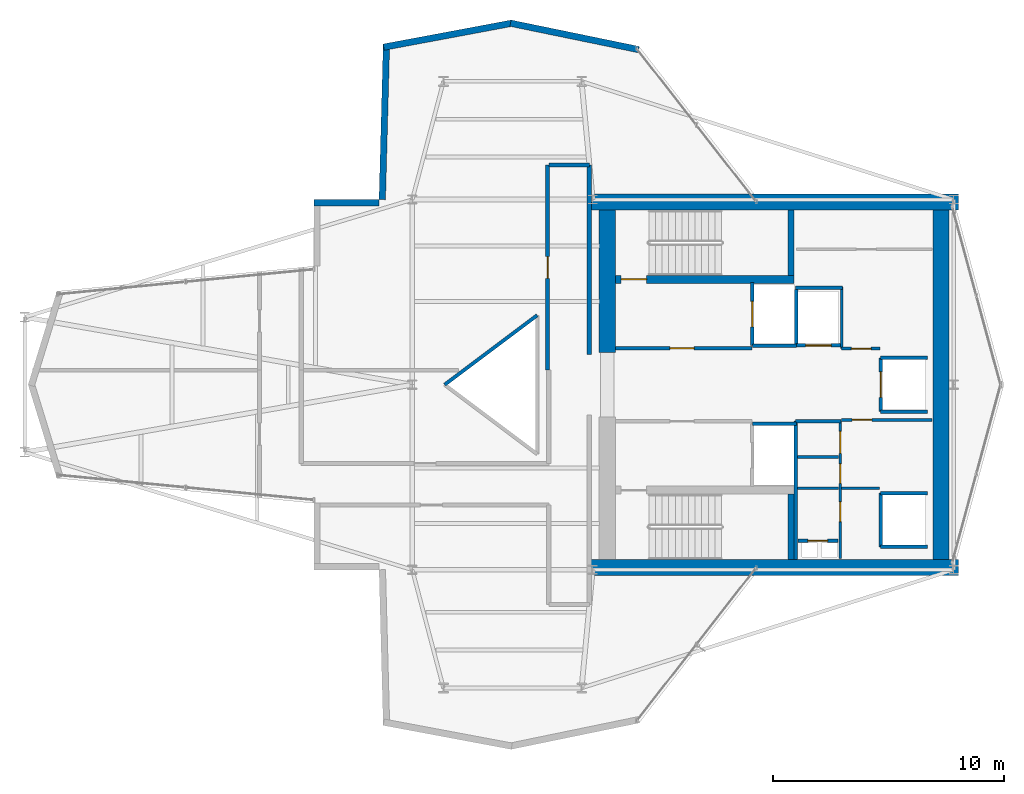
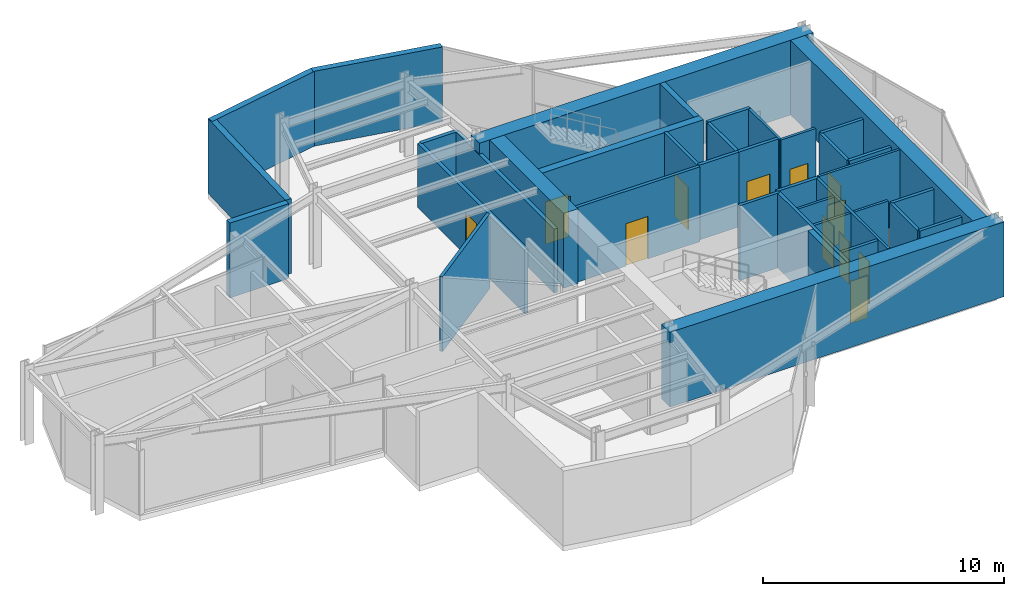
# One storey, part 19 of 21: 38 walls, 12 doors, 12 openings.
"""IFC4 building model written with IfcOpenShell, lengths in metres."""

from ifc_helpers import new_model, si_unit, direction, frame, frame_2d, origin, place, context, subcontext, project, spatial, rectangle, extrude, material, layer, layer_set, type_object, element, fill, save


model = new_model("IFC4")

# Units and contexts
model_context = context("Model", 3, precision=1e-05, world=origin(), true_north=direction((0.0, 1.0)))
body_context = subcontext(model_context, "Body", "Model", "MODEL_VIEW")
ifc_project = project(units=[si_unit("LENGTHUNIT", "METRE"), si_unit("AREAUNIT", "SQUARE_METRE"), si_unit("VOLUMEUNIT", "CUBIC_METRE"), si_unit("PLANEANGLEUNIT", "RADIAN"), si_unit("MASSUNIT", "GRAM", prefix="KILO")], contexts=[model_context])

# Site, building, storey
site_placement = place(None, origin())
site = spatial("IfcSite", under=ifc_project, at=site_placement, CompositionType="ELEMENT")
building_placement = place(site_placement, origin())
building = spatial("IfcBuilding", under=site, at=building_placement, Name="Veymaron Broadcast Tower", CompositionType="ELEMENT")
storey_placement = place(building_placement, frame((0.0, 0.0, 244.5)))
storey = spatial("IfcBuildingStorey", under=building, at=storey_placement, Name="L57", CompositionType="ELEMENT", Elevation=244.5)

# Walls
ifc_material_1 = material(Name="Precast concrete C40/50", Category="concrete")
ifc_layer_1 = layer(ifc_material_1, 0.280029296875)
ifc_layer_set_1 = layer_set([ifc_layer_1], Name="Precast concrete C40/50")
wall_type_1 = type_object("IfcWallType", Name="WALL-EXT-280", PredefinedType="STANDARD", material=ifc_layer_set_1)
wall_1_placement = place(storey_placement, frame((40.977783203125, 38.486083984375, 0.0), z_axis=(0.0, 0.0, 1.0), x_axis=(-0.979426896637, 0.201799291733, 0.0)))
element("IfcWall", 1, at=wall_1_placement, inside=storey, type_object=wall_type_1, Name="L57 notched corner facade pier 6-1", PredefinedType="STANDARD", context=body_context, shape_type="SweptSolid", body=[
    extrude(rectangle(XDim=5.6474609375, YDim=0.280029296875, at=frame_2d((2.82373046875, 0.0))), origin(), (0.0, 0.0, 1.0), 3.7900390625),
])
wall_2_placement = place(storey_placement, frame((35.50048828125, 39.625244140625, 0.0), z_axis=(0.0, 0.0, 1.0), x_axis=(-0.982902134609, -0.184128742409, 0.0)))
element("IfcWall", 2, at=wall_2_placement, inside=storey, type_object=wall_type_1, Name="L57 notched corner facade pier 7-1", PredefinedType="STANDARD", context=body_context, shape_type="SweptSolid", body=[
    extrude(rectangle(XDim=5.627197265625, YDim=0.280029296875, at=frame_2d((2.8134765625, 0.0))), origin(), (0.0, 0.0, 1.0), 3.7900390625),
])
wall_3_placement = place(storey_placement, frame((30.08349609375, 38.72314453125, 0.0), z_axis=(0.0, 0.0, 1.0), x_axis=(-0.026702629768, -0.999643421208, 0.0)))
element("IfcWall", 3, at=wall_3_placement, inside=storey, type_object=wall_type_1, Name="L57 notched corner facade pier 8-1", PredefinedType="STANDARD", context=body_context, shape_type="SweptSolid", body=[
    extrude(rectangle(XDim=6.729248046875, YDim=0.280029296875, at=frame_2d((3.36474609375, 0.0))), origin(), (0.0, 0.0, 1.0), 3.7900390625),
])
wall_4_placement = place(storey_placement, frame((29.763916015625, 31.860107421875, 0.0), z_axis=(0.0, 0.0, 1.0), x_axis=(-1.0, 0.0, 0.0)))
element("IfcWall", 4, at=wall_4_placement, inside=storey, type_object=wall_type_1, Name="L57 notched corner facade pier 9-1", PredefinedType="STANDARD", context=body_context, shape_type="SweptSolid", body=[
    extrude(rectangle(XDim=2.821533203125, YDim=0.280029296875, at=frame_2d((1.41064453125, 0.0))), origin(), (0.0, 0.0, 1.0), 3.7900390625),
])

# Wall, opening, door
ifc_material_2 = material(Name="Gypsum fireboard and steel stud framing", Category="steel")
ifc_layer_2 = layer(ifc_material_2, 0.14990234375)
ifc_layer_set_2 = layer_set([ifc_layer_2], Name="Gypsum fireboard and steel stud framing")
wall_type_2 = type_object("IfcWallType", Name="WALL-FIRE-150", PredefinedType="PARTITIONING", material=ifc_layer_set_2)
wall_5_placement = place(storey_placement, frame((39.97998046875, 25.574951171875, 0.0), z_axis=(0.0, 0.0, 1.0), x_axis=(1.0, 0.0, 0.0)))
wall_5 = element("IfcWall", 5, at=wall_5_placement, inside=storey, type_object=wall_type_2, Name="L57 partition IW-L57-FFLN-S", PredefinedType="PARTITIONING", context=body_context, shape_type="SweptSolid", body=[
    extrude(rectangle(XDim=5.89990234375, YDim=0.14990234375, at=frame_2d((2.949951171875, 0.0))), origin(), (0.0, 0.0, 1.0), 3.7900390625),
])
opening_1_placement = place(wall_5_placement, frame((2.35009765625, 0.0, 0.0)))
opening_1 = element("IfcOpeningElement", 6, at=opening_1_placement, cuts=wall_5, Name="Opening ID-FL1", PredefinedType="OPENING", context=body_context, shape_type="SweptSolid", body=[
    extrude(rectangle(XDim=1.050048828125, YDim=2.14990234375, at=frame_2d((0.52490234375, 1.074951171875))), frame((0.0, 0.0849609375, 0.0), z_axis=(0.0, -1.0, 0.0), x_axis=(1.0, 0.0, 0.0)), (0.0, 0.0, 1.0), 0.169921875),
])
ifc_material_3 = material(Name="Fire-rated painted hollow steel ASTM A653", Category="steel")
door_type_1 = type_object("IfcDoorType", Name="DOOR-FIRE-1050", OperationType="NOTDEFINED", PredefinedType="DOOR", material=ifc_material_3)
door_1_placement = place(opening_1_placement, origin())
door_1 = element("IfcDoor", 7, at=door_1_placement, inside=storey, type_object=door_type_1, Name="L57 door DR-L57-FFLN", OperationType="SINGLE_SWING_LEFT", OverallHeight=2.14990234375, OverallWidth=1.050048828125, PredefinedType="DOOR", context=body_context, shape_type="SweptSolid", body=[
    extrude(rectangle(XDim=1.050048828125, YDim=2.14990234375, at=frame_2d((0.52490234375, 1.074951171875))), frame((0.0, 0.02490234375, 0.0), z_axis=(0.0, -1.0, 0.0), x_axis=(1.0, 0.0, 0.0)), (0.0, 0.0, 1.0), 0.050048828125),
])
fill(opening_1, door_1)

wall_6_placement = place(storey_placement, frame((45.89501953125, 25.68994140625, 0.0), z_axis=(0.0, 0.0, 1.0), x_axis=(0.0, 1.0, 0.0)))
wall_6 = element("IfcWall", 8, at=wall_6_placement, inside=storey, type_object=wall_type_2, Name="L57 partition IW-L57-SHW-FFL-1", PredefinedType="PARTITIONING", context=body_context, shape_type="SweptSolid", body=[
    extrude(rectangle(XDim=2.719970703125, YDim=0.14990234375, at=frame_2d((1.35986328125, 0.0))), origin(), (0.0, 0.0, 1.0), 3.7900390625),
])
opening_2_placement = place(wall_6_placement, frame((0.81005859375, 0.0, 0.0)))
opening_2 = element("IfcOpeningElement", 9, at=opening_2_placement, cuts=wall_6, Name="Opening LD", PredefinedType="OPENING", context=body_context, shape_type="SweptSolid", body=[
    extrude(rectangle(XDim=1.10009765625, YDim=2.14990234375, at=frame_2d((0.550048828125, 1.074951171875))), frame((0.0, 0.0849609375, 0.0), z_axis=(0.0, -1.0, 0.0), x_axis=(1.0, 0.0, 0.0)), (0.0, 0.0, 1.0), 0.169921875),
])
ifc_material_4 = material(Name="Brushed stainless steel AISI 304", Category="steel")
door_type_2 = type_object("IfcDoorType", Name="DOOR-LIFT-1100", OperationType="DOUBLE_DOOR_SLIDING", PredefinedType="DOOR", material=ifc_material_4)
door_2_placement = place(opening_2_placement, frame((1.10009765625, 0.0, 0.0), z_axis=(0.0, 0.0, 1.0), x_axis=(-1.0, 0.0, 0.0)))
door_2 = element("IfcDoor", 10, at=door_2_placement, inside=storey, type_object=door_type_2, Name="L57 door LD-L57-FFL-1", OperationType="DOUBLE_DOOR_SLIDING", OverallHeight=2.14990234375, OverallWidth=1.10009765625, PredefinedType="DOOR", context=body_context, shape_type="SweptSolid", body=[
    extrude(rectangle(XDim=1.10009765625, YDim=2.14990234375, at=frame_2d((0.550048828125, 1.074951171875))), frame((0.0, 0.02490234375, 0.0), z_axis=(0.0, -1.0, 0.0), x_axis=(1.0, 0.0, 0.0)), (0.0, 0.0, 1.0), 0.050048828125),
])
fill(opening_2, door_2)

# Walls
for number, where, z_axis, x_axis, name in (
    (11, (45.89501953125, 25.68994140625, 0.0), (0.0, 0.0, 1.0), (1.0, 0.0, 0.0), "L57 partition IW-L57-SHS-FFL-1"),
    (12, (45.89501953125, 22.31005859375, 0.0), (0.0, 0.0, 1.0), (1.0, 0.0, 0.0), "L57 partition IW-L57-SHN-FFL-2"),
):
    element("IfcWall", number, at=place(storey_placement, frame(where, z_axis=z_axis, x_axis=x_axis)), inside=storey, type_object=wall_type_2, Name=name, PredefinedType="PARTITIONING", context=body_context, shape_type="SweptSolid", body=[
        extrude(rectangle(XDim=1.9150390625, YDim=0.14990234375, at=frame_2d((0.95751953125, 0.0))), origin(), (0.0, 0.0, 1.0), 3.7900390625),
    ])

# Wall, opening, door
wall_7_placement = place(storey_placement, frame((47.7900390625, 25.695068359375, 0.0), z_axis=(0.0, 0.0, 1.0), x_axis=(1.0, 0.0, 0.0)))
wall_7 = element("IfcWall", 13, at=wall_7_placement, inside=storey, type_object=wall_type_2, Name="L57 partition IW-L57-SHS-SL-1", PredefinedType="PARTITIONING", context=body_context, shape_type="SweptSolid", body=[
    extrude(rectangle(XDim=1.919921875, YDim=0.14990234375, at=frame_2d((0.9599609375, 0.0))), origin(), (0.0, 0.0, 1.0), 3.7900390625),
])
opening_3_placement = place(wall_7_placement, frame((0.409912109375, 0.0, 0.0)))
opening_3 = element("IfcOpeningElement", 14, at=opening_3_placement, cuts=wall_7, Name="Opening LD", PredefinedType="OPENING", context=body_context, shape_type="SweptSolid", body=[
    extrude(rectangle(XDim=1.10009765625, YDim=2.14990234375, at=frame_2d((0.550048828125, 1.074951171875))), frame((0.0, 0.0849609375, 0.0), z_axis=(0.0, -1.0, 0.0), x_axis=(1.0, 0.0, 0.0)), (0.0, 0.0, 1.0), 0.169921875),
])
door_3_placement = place(opening_3_placement, frame((1.10009765625, 0.0, 0.0), z_axis=(0.0, 0.0, 1.0), x_axis=(-1.0, 0.0, 0.0)))
door_3 = element("IfcDoor", 15, at=door_3_placement, inside=storey, type_object=door_type_2, Name="L57 door LD-L57-SL-1", OperationType="DOUBLE_DOOR_SLIDING", OverallHeight=2.14990234375, OverallWidth=1.10009765625, PredefinedType="DOOR", context=body_context, shape_type="SweptSolid", body=[
    extrude(rectangle(XDim=1.10009765625, YDim=2.14990234375, at=frame_2d((0.550048828125, 1.074951171875))), frame((0.0, 0.02490234375, 0.0), z_axis=(0.0, -1.0, 0.0), x_axis=(1.0, 0.0, 0.0)), (0.0, 0.0, 1.0), 0.050048828125),
])
fill(opening_3, door_3)

# Wall
wall_8_placement = place(storey_placement, frame((47.7900390625, 25.695068359375, 0.0), z_axis=(0.0, 0.0, 1.0), x_axis=(0.0, 1.0, 0.0)))
element("IfcWall", 16, at=wall_8_placement, inside=storey, type_object=wall_type_2, Name="L57 partition IW-L57-SHW-SL-1", PredefinedType="PARTITIONING", context=body_context, shape_type="SweptSolid", body=[
    extrude(rectangle(XDim=2.4150390625, YDim=0.14990234375, at=frame_2d((1.20751953125, 0.0))), origin(), (0.0, 0.0, 1.0), 3.7900390625),
])

# Wall, opening, door
wall_9_placement = place(storey_placement, frame((51.445068359375, 22.840087890625, 0.0), z_axis=(0.0, 0.0, 1.0), x_axis=(0.0, 1.0, 0.0)))
wall_9 = element("IfcWall", 17, at=wall_9_placement, inside=storey, type_object=wall_type_2, Name="L57 partition IW-L57-SHW-PM3", PredefinedType="PARTITIONING", context=body_context, shape_type="SweptSolid", body=[
    extrude(rectangle(XDim=2.31982421875, YDim=0.14990234375, at=frame_2d((1.159912109375, 0.0))), origin(), (0.0, 0.0, 1.0), 3.7900390625),
])
opening_4_placement = place(wall_9_placement, frame((0.610107421875, 0.0, 0.0)))
opening_4 = element("IfcOpeningElement", 18, at=opening_4_placement, cuts=wall_9, Name="Opening LD", PredefinedType="OPENING", context=body_context, shape_type="SweptSolid", body=[
    extrude(rectangle(XDim=1.10009765625, YDim=2.14990234375, at=frame_2d((0.550048828125, 1.074951171875))), frame((0.0, 0.0849609375, 0.0), z_axis=(0.0, -1.0, 0.0), x_axis=(1.0, 0.0, 0.0)), (0.0, 0.0, 1.0), 0.169921875),
])
door_4_placement = place(opening_4_placement, frame((1.10009765625, 0.0, 0.0), z_axis=(0.0, 0.0, 1.0), x_axis=(-1.0, 0.0, 0.0)))
door_4 = element("IfcDoor", 19, at=door_4_placement, inside=storey, type_object=door_type_2, Name="L57 door LD-L57-PM3", OperationType="DOUBLE_DOOR_SLIDING", OverallHeight=2.14990234375, OverallWidth=1.10009765625, PredefinedType="DOOR", context=body_context, shape_type="SweptSolid", body=[
    extrude(rectangle(XDim=1.10009765625, YDim=2.14990234375, at=frame_2d((0.550048828125, 1.074951171875))), frame((0.0, 0.02490234375, 0.0), z_axis=(0.0, -1.0, 0.0), x_axis=(1.0, 0.0, 0.0)), (0.0, 0.0, 1.0), 0.050048828125),
])
fill(opening_4, door_4)

# Walls
for number, where, z_axis, x_axis, name in (
    (20, (51.445068359375, 22.840087890625, 0.0), (0.0, 0.0, 1.0), (1.0, 0.0, 0.0), "L57 partition IW-L57-SHS-PM3"),
    (21, (51.445068359375, 25.159912109375, 0.0), (0.0, 0.0, 1.0), (1.0, 0.0, 0.0), "L57 partition IW-L57-SHN-PM3"),
):
    element("IfcWall", number, at=place(storey_placement, frame(where, z_axis=z_axis, x_axis=x_axis)), inside=storey, type_object=wall_type_2, Name=name, PredefinedType="PARTITIONING", context=body_context, shape_type="SweptSolid", body=[
        extrude(rectangle(XDim=2.014892578125, YDim=0.14990234375, at=frame_2d((1.00732421875, 0.0))), origin(), (0.0, 0.0, 1.0), 3.7900390625),
    ])
wall_10_placement = place(storey_placement, frame((51.445068359375, 16.989990234375, 0.0), z_axis=(0.0, 0.0, 1.0), x_axis=(0.0, 1.0, 0.0)))
element("IfcWall", 22, at=wall_10_placement, inside=storey, type_object=wall_type_2, Name="L57 partition IW-L57-SHW-PH1", PredefinedType="PARTITIONING", context=body_context, shape_type="SweptSolid", body=[
    extrude(rectangle(XDim=2.320068359375, YDim=0.14990234375, at=frame_2d((1.16015625, 0.0))), origin(), (0.0, 0.0, 1.0), 3.7900390625),
])
for number, where, z_axis, x_axis, name in (
    (23, (51.445068359375, 16.989990234375, 0.0), (0.0, 0.0, 1.0), (1.0, 0.0, 0.0), "L57 partition IW-L57-SHS-PH1"),
    (24, (51.445068359375, 19.31005859375, 0.0), (0.0, 0.0, 1.0), (1.0, 0.0, 0.0), "L57 partition IW-L57-SHN-PH1"),
):
    element("IfcWall", number, at=place(storey_placement, frame(where, z_axis=z_axis, x_axis=x_axis)), inside=storey, type_object=wall_type_2, Name=name, PredefinedType="PARTITIONING", context=body_context, shape_type="SweptSolid", body=[
        extrude(rectangle(XDim=2.014892578125, YDim=0.14990234375, at=frame_2d((1.00732421875, 0.0))), origin(), (0.0, 0.0, 1.0), 3.7900390625),
    ])

# Wall, opening, door
wall_11_placement = place(storey_placement, frame((47.8798828125, 17.260009765625, 0.0), z_axis=(0.0, 0.0, 1.0), x_axis=(1.0, 0.0, 0.0)))
wall_11 = element("IfcWall", 25, at=wall_11_placement, inside=storey, type_object=wall_type_2, Name="L57 partition IW-L57-RIS-N", PredefinedType="PARTITIONING", context=body_context, shape_type="SweptSolid", body=[
    extrude(rectangle(XDim=1.72021484375, YDim=0.14990234375, at=frame_2d((0.860107421875, 0.0))), origin(), (0.0, 0.0, 1.0), 3.7900390625),
])
opening_5_placement = place(wall_11_placement, frame((0.419921875, 0.0, 0.0)))
opening_5 = element("IfcOpeningElement", 26, at=opening_5_placement, cuts=wall_11, Name="Opening ID-RS1", PredefinedType="OPENING", context=body_context, shape_type="SweptSolid", body=[
    extrude(rectangle(XDim=0.85009765625, YDim=2.14990234375, at=frame_2d((0.425048828125, 1.074951171875))), frame((0.0, 0.0849609375, 0.0), z_axis=(0.0, -1.0, 0.0), x_axis=(1.0, 0.0, 0.0)), (0.0, 0.0, 1.0), 0.169921875),
])
ifc_material_5 = material(Name="Fire-rated powder-coated steel riser leaf", Category="steel")
door_type_3 = type_object("IfcDoorType", Name="DOOR-RIS-850", OperationType="NOTDEFINED", PredefinedType="TRAPDOOR", material=ifc_material_5)
door_5_placement = place(opening_5_placement, origin())
door_5 = element("IfcDoor", 27, at=door_5_placement, inside=storey, type_object=door_type_3, Name="L57 door DR-L57-RIS", OperationType="SINGLE_SWING_LEFT", OverallHeight=2.14990234375, OverallWidth=0.85009765625, PredefinedType="TRAPDOOR", context=body_context, shape_type="SweptSolid", body=[
    extrude(rectangle(XDim=0.85009765625, YDim=2.14990234375, at=frame_2d((0.425048828125, 1.074951171875))), frame((0.0, 0.02490234375, 0.0), z_axis=(0.0, -1.0, 0.0), x_axis=(1.0, 0.0, 0.0)), (0.0, 0.0, 1.0), 0.050048828125),
])
fill(opening_5, door_5)

# Walls
wall_12_placement = place(storey_placement, frame((47.760009765625, 22.425048828125, 0.0), z_axis=(0.0, 0.0, 1.0), x_axis=(1.0, 0.0, 0.0)))
element("IfcWall", 28, at=wall_12_placement, inside=storey, type_object=wall_type_2, Name="L57 partition IW-L57-SM-N", PredefinedType="PARTITIONING", context=body_context, shape_type="SweptSolid", body=[
    extrude(rectangle(XDim=1.9599609375, YDim=0.14990234375, at=frame_2d((0.97998046875, 0.0))), origin(), (0.0, 0.0, 1.0), 3.7900390625),
])
wall_13_placement = place(storey_placement, frame((47.780029296875, 16.449951171875, 0.0), z_axis=(0.0, 0.0, 1.0), x_axis=(0.0, 1.0, 0.0)))
element("IfcWall", 29, at=wall_13_placement, inside=storey, type_object=wall_type_2, Name="L57 partition IW-L57-SM-W", PredefinedType="PARTITIONING", context=body_context, shape_type="SweptSolid", body=[
    extrude(rectangle(XDim=5.97509765625, YDim=0.14990234375, at=frame_2d((2.987548828125, 0.0))), origin(), (0.0, 0.0, 1.0), 3.7900390625),
])
wall_14_placement = place(storey_placement, frame((47.760009765625, 28.199951171875, 0.0), z_axis=(0.0, 0.0, 1.0), x_axis=(1.0, 0.0, 0.0)))
element("IfcWall", 30, at=wall_14_placement, inside=storey, type_object=wall_type_2, Name="L57 partition IW-L57-F2-SW", PredefinedType="PARTITIONING", context=body_context, shape_type="SweptSolid", body=[
    extrude(rectangle(XDim=2.0400390625, YDim=0.14990234375, at=frame_2d((1.02001953125, 0.0))), origin(), (0.0, 0.0, 1.0), 3.7900390625),
])

# Wall, opening, door
ifc_material_6 = material(Name="Concrete C40/50", Category="concrete")
ifc_layer_3 = layer(ifc_material_6, 0.179931640625)
ifc_layer_set_3 = layer_set([ifc_layer_3], Name="Concrete C40/50")
wall_type_3 = type_object("IfcWallType", Name="WALL-FIRE-180", PredefinedType="SOLIDWALL", material=ifc_layer_set_3)
wall_15_placement = place(storey_placement, frame((37.050048828125, 24.631103515625, 0.0), z_axis=(0.0, 0.0, 1.0), x_axis=(0.0, 1.0, 0.0)))
wall_15 = element("IfcWall", 31, at=wall_15_placement, inside=storey, type_object=wall_type_3, Name="L57 partition IW-L57-P10", PredefinedType="SOLIDWALL", context=body_context, shape_type="SweptSolid", body=[
    extrude(rectangle(XDim=8.868896484375, YDim=0.179931640625, at=frame_2d((4.4345703125, 0.0))), origin(), (0.0, 0.0, 1.0), 3.240966796875),
])
opening_6_placement = place(wall_15_placement, frame((3.95947265625, 0.0, 0.0)))
opening_6 = element("IfcOpeningElement", 32, at=opening_6_placement, cuts=wall_15, Name="Opening ID-RM1", PredefinedType="OPENING", context=body_context, shape_type="SweptSolid", body=[
    extrude(rectangle(XDim=0.949951171875, YDim=2.14990234375, at=frame_2d((0.47509765625, 1.074951171875))), frame((0.0, 0.10009765625, 0.0), z_axis=(0.0, -1.0, 0.0), x_axis=(1.0, 0.0, 0.0)), (0.0, 0.0, 1.0), 0.199951171875),
])
ifc_material_7 = material(Name="Acoustic solid-core European oak veneer timber", Category="wood")
door_type_4 = type_object("IfcDoorType", Name="DOOR-INT-950", OperationType="NOTDEFINED", PredefinedType="DOOR", material=ifc_material_7)
door_6_placement = place(opening_6_placement, origin())
door_6 = element("IfcDoor", 33, at=door_6_placement, inside=storey, type_object=door_type_4, Name="L57 door DR-L57-P10", OperationType="SINGLE_SWING_LEFT", OverallHeight=2.14990234375, OverallWidth=0.949951171875, PredefinedType="DOOR", context=body_context, shape_type="SweptSolid", body=[
    extrude(rectangle(XDim=0.949951171875, YDim=2.14990234375, at=frame_2d((0.47509765625, 1.074951171875))), frame((0.0, 0.02490234375, 0.0), z_axis=(0.0, -1.0, 0.0), x_axis=(1.0, 0.0, 0.0)), (0.0, 0.0, 1.0), 0.050048828125),
])
fill(opening_6, door_6)

# Walls
wall_16_placement = place(storey_placement, frame((38.85009765625, 25.300048828125, 0.0), z_axis=(0.0, 0.0, 1.0), x_axis=(0.0, 1.0, 0.0)))
element("IfcWall", 34, at=wall_16_placement, inside=storey, type_object=wall_type_3, Name="L57 partition IW-L57-P11", PredefinedType="SOLIDWALL", context=body_context, shape_type="SweptSolid", body=[
    extrude(rectangle(XDim=8.199951171875, YDim=0.179931640625, at=frame_2d((4.10009765625, 0.0))), origin(), (0.0, 0.0, 1.0), 3.240966796875),
])
wall_17_placement = place(storey_placement, frame((37.10009765625, 33.5, 0.0), z_axis=(0.0, 0.0, 1.0), x_axis=(1.0, 0.0, 0.0)))
element("IfcWall", 35, at=wall_17_placement, inside=storey, type_object=wall_type_3, Name="L57 partition IW-L57-P13", PredefinedType="SOLIDWALL", context=body_context, shape_type="SweptSolid", body=[
    extrude(rectangle(XDim=1.75, YDim=0.179931640625, at=frame_2d((0.875, 0.0))), origin(), (0.0, 0.0, 1.0), 3.240966796875),
])
ifc_material_8 = material(Name="Fire-rated laminated glass in aluminium frame", Category="aluminium")
ifc_layer_4 = layer(ifc_material_8, 0.14990234375)
ifc_layer_set_4 = layer_set([ifc_layer_4], Name="Fire-rated laminated glass in aluminium frame")
wall_type_4 = type_object("IfcWallType", Name="WALL-GLZ-150", PredefinedType="MOVABLE", material=ifc_layer_set_4)
wall_18_placement = place(storey_placement, frame((36.60009765625, 27.0, 0.0), z_axis=(0.0, 0.0, 1.0), x_axis=(-0.8, -0.6, 0.0)))
element("IfcWall", 36, at=wall_18_placement, inside=storey, type_object=wall_type_4, Name="L57 partition IW-L57-ATR3", PredefinedType="MOVABLE", context=body_context, shape_type="SweptSolid", body=[
    extrude(rectangle(XDim=5.0, YDim=0.14990234375, at=frame_2d((2.5, 0.0))), origin(), (0.0, 0.0, 1.0), 3.7900390625),
])
ifc_material_9 = material(Name="Acoustic gypsum board and galvanized stud", Category="gypsum")
ifc_layer_5 = layer(ifc_material_9, 0.1201171875)
ifc_layer_set_5 = layer_set([ifc_layer_5], Name="Acoustic gypsum board and galvanized stud")
wall_type_5 = type_object("IfcWallType", Name="WALL-PART-120", PredefinedType="PARTITIONING", material=ifc_layer_set_5)
for number, where, z_axis, x_axis, name in (
    (37, (47.860107421875, 19.52001953125, 0.0), (0.0, 0.0, 1.0), (1.0, 0.0, 0.0), "L57 partition IW-L57-SM-D1"),
    (38, (47.860107421875, 20.8798828125, 0.0), (0.0, 0.0, 1.0), (1.0, 0.0, 0.0), "L57 partition IW-L57-SM-D2"),
):
    element("IfcWall", number, at=place(storey_placement, frame(where, z_axis=z_axis, x_axis=x_axis)), inside=storey, type_object=wall_type_5, Name=name, PredefinedType="PARTITIONING", context=body_context, shape_type="SweptSolid", body=[
        extrude(rectangle(XDim=1.760009765625, YDim=0.1201171875, at=frame_2d((0.8798828125, 0.0))), origin(), (0.0, 0.0, 1.0), 3.7900390625),
    ])

# Wall, openings, doors
wall_19_placement = place(storey_placement, frame((49.699951171875, 16.47998046875, 0.0), z_axis=(0.0, 0.0, 1.0), x_axis=(0.0, 1.0, 0.0)))
wall_19 = element("IfcWall", 39, at=wall_19_placement, inside=storey, type_object=wall_type_5, Name="L57 partition IW-L57-SM-E", PredefinedType="PARTITIONING", context=body_context, shape_type="SweptSolid", body=[
    extrude(rectangle(XDim=5.945068359375, YDim=0.1201171875, at=frame_2d((2.97265625, 0.0))), origin(), (0.0, 0.0, 1.0), 3.7900390625),
])
opening_7_placement = place(wall_19_placement, frame((1.60009765625, 0.0, 0.0)))
opening_7 = element("IfcOpeningElement", 40, at=opening_7_placement, cuts=wall_19, Name="Opening ID-WC1", PredefinedType="OPENING", context=body_context, shape_type="SweptSolid", body=[
    extrude(rectangle(XDim=0.85009765625, YDim=2.14990234375, at=frame_2d((0.425048828125, 1.074951171875))), frame((0.0, 0.070068359375, 0.0), z_axis=(0.0, -1.0, 0.0), x_axis=(1.0, 0.0, 0.0)), (0.0, 0.0, 1.0), 0.14013671875),
])
opening_8_placement = place(wall_19_placement, frame((3.25, 0.0, 0.0)))
opening_8 = element("IfcOpeningElement", 41, at=opening_8_placement, cuts=wall_19, Name="Opening ID-WC1", PredefinedType="OPENING", context=body_context, shape_type="SweptSolid", body=[
    extrude(rectangle(XDim=0.85009765625, YDim=2.14990234375, at=frame_2d((0.425048828125, 1.074951171875))), frame((0.0, 0.070068359375, 0.0), z_axis=(0.0, -1.0, 0.0), x_axis=(1.0, 0.0, 0.0)), (0.0, 0.0, 1.0), 0.14013671875),
])
opening_9_placement = place(wall_19_placement, frame((4.550048828125, 0.0, 0.0)))
opening_9 = element("IfcOpeningElement", 42, at=opening_9_placement, cuts=wall_19, Name="Opening ID-RM1", PredefinedType="OPENING", context=body_context, shape_type="SweptSolid", body=[
    extrude(rectangle(XDim=0.949951171875, YDim=2.14990234375, at=frame_2d((0.47509765625, 1.074951171875))), frame((0.0, 0.070068359375, 0.0), z_axis=(0.0, -1.0, 0.0), x_axis=(1.0, 0.0, 0.0)), (0.0, 0.0, 1.0), 0.14013671875),
])
ifc_material_10 = material(Name="Moisture-resistant high-pressure laminate timber", Category="wood")
door_type_5 = type_object("IfcDoorType", Name="DOOR-INT-850", OperationType="NOTDEFINED", PredefinedType="DOOR", material=ifc_material_10)
door_7_placement = place(opening_7_placement, frame((0.85009765625, 0.0, 0.0), z_axis=(0.0, 0.0, 1.0), x_axis=(-1.0, 0.0, 0.0)))
door_7 = element("IfcDoor", 43, at=door_7_placement, inside=storey, type_object=door_type_5, Name="L57 door DR-L57-JST", OperationType="SINGLE_SWING_LEFT", OverallHeight=2.14990234375, OverallWidth=0.85009765625, PredefinedType="DOOR", context=body_context, shape_type="SweptSolid", body=[
    extrude(rectangle(XDim=0.85009765625, YDim=2.14990234375, at=frame_2d((0.425048828125, 1.074951171875))), frame((0.0, 0.02490234375, 0.0), z_axis=(0.0, -1.0, 0.0), x_axis=(1.0, 0.0, 0.0)), (0.0, 0.0, 1.0), 0.050048828125),
])
fill(opening_7, door_7)
door_8_placement = place(opening_8_placement, frame((0.85009765625, 0.0, 0.0), z_axis=(0.0, 0.0, 1.0), x_axis=(-1.0, 0.0, 0.0)))
door_8 = element("IfcDoor", 44, at=door_8_placement, inside=storey, type_object=door_type_5, Name="L57 door DR-L57-SWC", OperationType="SINGLE_SWING_RIGHT", OverallHeight=2.14990234375, OverallWidth=0.85009765625, PredefinedType="DOOR", context=body_context, shape_type="SweptSolid", body=[
    extrude(rectangle(XDim=0.85009765625, YDim=2.14990234375, at=frame_2d((0.425048828125, 1.074951171875))), frame((0.0, 0.02490234375, 0.0), z_axis=(0.0, -1.0, 0.0), x_axis=(1.0, 0.0, 0.0)), (0.0, 0.0, 1.0), 0.050048828125),
])
fill(opening_8, door_8)
door_9_placement = place(opening_9_placement, frame((0.949951171875, 0.0, 0.0), z_axis=(0.0, 0.0, 1.0), x_axis=(-1.0, 0.0, 0.0)))
door_9 = element("IfcDoor", 45, at=door_9_placement, inside=storey, type_object=door_type_4, Name="L57 door DR-L57-AWC", OperationType="SINGLE_SWING_LEFT", OverallHeight=2.14990234375, OverallWidth=0.949951171875, PredefinedType="DOOR", context=body_context, shape_type="SweptSolid", body=[
    extrude(rectangle(XDim=0.949951171875, YDim=2.14990234375, at=frame_2d((0.47509765625, 1.074951171875))), frame((0.0, 0.02490234375, 0.0), z_axis=(0.0, -1.0, 0.0), x_axis=(1.0, 0.0, 0.0)), (0.0, 0.0, 1.0), 0.050048828125),
])
fill(opening_9, door_9)

# Wall, opening, door
wall_20_placement = place(storey_placement, frame((49.760009765625, 22.47998046875, 0.0), z_axis=(0.0, 0.0, 1.0), x_axis=(1.0, 0.0, 0.0)))
wall_20 = element("IfcWall", 46, at=wall_20_placement, inside=storey, type_object=wall_type_5, Name="L57 partition IW-L57-F2S-N", PredefinedType="PARTITIONING", context=body_context, shape_type="SweptSolid", body=[
    extrude(rectangle(XDim=3.89990234375, YDim=0.1201171875, at=frame_2d((1.949951171875, 0.0))), origin(), (0.0, 0.0, 1.0), 3.7900390625),
])
opening_10_placement = place(wall_20_placement, frame((0.449951171875, 0.0, 0.0)))
opening_10 = element("IfcOpeningElement", 47, at=opening_10_placement, cuts=wall_20, Name="Opening ID-WC1", PredefinedType="OPENING", context=body_context, shape_type="SweptSolid", body=[
    extrude(rectangle(XDim=0.85009765625, YDim=2.14990234375, at=frame_2d((0.425048828125, 1.074951171875))), frame((0.0, 0.070068359375, 0.0), z_axis=(0.0, -1.0, 0.0), x_axis=(1.0, 0.0, 0.0)), (0.0, 0.0, 1.0), 0.14013671875),
])
door_10_placement = place(opening_10_placement, frame((0.85009765625, 0.0, 0.0), z_axis=(0.0, 0.0, 1.0), x_axis=(-1.0, 0.0, 0.0)))
door_10 = element("IfcDoor", 48, at=door_10_placement, inside=storey, type_object=door_type_5, Name="L57 door DR-L57-F2S", OperationType="SINGLE_SWING_LEFT", OverallHeight=2.14990234375, OverallWidth=0.85009765625, PredefinedType="DOOR", context=body_context, shape_type="SweptSolid", body=[
    extrude(rectangle(XDim=0.85009765625, YDim=2.14990234375, at=frame_2d((0.425048828125, 1.074951171875))), frame((0.0, 0.02490234375, 0.0), z_axis=(0.0, -1.0, 0.0), x_axis=(1.0, 0.0, 0.0)), (0.0, 0.0, 1.0), 0.050048828125),
])
fill(opening_10, door_10)

# Walls
wall_21_placement = place(storey_placement, frame((49.760009765625, 19.52001953125, 0.0), z_axis=(0.0, 0.0, 1.0), x_axis=(1.0, 0.0, 0.0)))
element("IfcWall", 49, at=wall_21_placement, inside=storey, type_object=wall_type_5, Name="L57 partition IW-L57-F2S-S", PredefinedType="PARTITIONING", context=body_context, shape_type="SweptSolid", body=[
    extrude(rectangle(XDim=1.639892578125, YDim=0.1201171875, at=frame_2d((0.81982421875, 0.0))), origin(), (0.0, 0.0, 1.0), 3.7900390625),
])
wall_22_placement = place(storey_placement, frame((49.760009765625, 25.56005859375, 0.0), z_axis=(0.0, 0.0, 1.0), x_axis=(0.0, 1.0, 0.0)))
element("IfcWall", 50, at=wall_22_placement, inside=storey, type_object=wall_type_5, Name="L57 partition IW-L57-F2-W1", PredefinedType="PARTITIONING", context=body_context, shape_type="SweptSolid", body=[
    extrude(rectangle(XDim=2.659912109375, YDim=0.1201171875, at=frame_2d((1.330078125, 0.0))), origin(), (0.0, 0.0, 1.0), 3.7900390625),
])

# Wall, opening, door
wall_23_placement = place(storey_placement, frame((49.760009765625, 25.56005859375, 0.0), z_axis=(0.0, 0.0, 1.0), x_axis=(1.0, 0.0, 0.0)))
wall_23 = element("IfcWall", 51, at=wall_23_placement, inside=storey, type_object=wall_type_5, Name="L57 partition IW-L57-F2-S", PredefinedType="PARTITIONING", context=body_context, shape_type="SweptSolid", body=[
    extrude(rectangle(XDim=1.659912109375, YDim=0.1201171875, at=frame_2d((0.830078125, 0.0))), origin(), (0.0, 0.0, 1.0), 3.7900390625),
])
opening_11_placement = place(wall_23_placement, frame((0.419921875, 0.0, 0.0)))
opening_11 = element("IfcOpeningElement", 52, at=opening_11_placement, cuts=wall_23, Name="Opening ID-WC1", PredefinedType="OPENING", context=body_context, shape_type="SweptSolid", body=[
    extrude(rectangle(XDim=0.85009765625, YDim=2.14990234375, at=frame_2d((0.425048828125, 1.074951171875))), frame((0.0, 0.070068359375, 0.0), z_axis=(0.0, -1.0, 0.0), x_axis=(1.0, 0.0, 0.0)), (0.0, 0.0, 1.0), 0.14013671875),
])
door_11_placement = place(opening_11_placement, origin())
door_11 = element("IfcDoor", 53, at=door_11_placement, inside=storey, type_object=door_type_5, Name="L57 door DR-L57-F2A", OperationType="SINGLE_SWING_LEFT", OverallHeight=2.14990234375, OverallWidth=0.85009765625, PredefinedType="DOOR", context=body_context, shape_type="SweptSolid", body=[
    extrude(rectangle(XDim=0.85009765625, YDim=2.14990234375, at=frame_2d((0.425048828125, 1.074951171875))), frame((0.0, 0.02490234375, 0.0), z_axis=(0.0, -1.0, 0.0), x_axis=(1.0, 0.0, 0.0)), (0.0, 0.0, 1.0), 0.050048828125),
])
fill(opening_11, door_11)

# Walls
ifc_material_11 = material(Name="Concrete C50/60", Category="concrete")
ifc_layer_6 = layer(ifc_material_11, 0.25)
ifc_layer_set_6 = layer_set([ifc_layer_6], Name="Concrete C50/60")
wall_type_6 = type_object("IfcWallType", Name="WALL-SHEAR-250", PredefinedType="SHEAR", material=ifc_layer_set_6)
for number, where, z_axis, x_axis, name in (
    (54, (47.56494140625, 28.72998046875, 0.0), (0.0, 0.0, 1.0), (0.0, 1.0, 0.0), "L57 Core Wall north stair east shear"),
    (55, (47.56494140625, 16.449951171875, 0.0), (0.0, 0.0, 1.0), (0.0, 1.0, 0.0), "L57 Core Wall south stair east shear"),
):
    element("IfcWall", number, at=place(storey_placement, frame(where, z_axis=z_axis, x_axis=x_axis)), inside=storey, type_object=wall_type_6, Name=name, PredefinedType="SHEAR", context=body_context, shape_type="SweptSolid", body=[
        extrude(rectangle(XDim=2.820068359375, YDim=0.25, at=frame_2d((1.41015625, 0.0))), origin(), (0.0, 0.0, 1.0), 3.7900390625),
    ])

# Wall, opening, door
ifc_layer_7 = layer(ifc_material_11, 0.35009765625)
ifc_layer_set_7 = layer_set([ifc_layer_7], Name="Concrete C50/60")
wall_type_7 = type_object("IfcWallType", Name="WALL-SHEAR-350", PredefinedType="SHEAR", material=ifc_layer_set_7)
wall_24_placement = place(storey_placement, frame((39.97998046875, 28.554931640625, 0.0), z_axis=(0.0, 0.0, 1.0), x_axis=(1.0, 0.0, 0.0)))
wall_24 = element("IfcWall", 56, at=wall_24_placement, inside=storey, type_object=wall_type_7, Name="L57 Core Wall north stair spine", PredefinedType="SHEAR", context=body_context, shape_type="SweptSolid", body=[
    extrude(rectangle(XDim=7.7099609375, YDim=0.35009765625, at=frame_2d((3.85498046875, 0.0))), origin(), (0.0, 0.0, 1.0), 3.7900390625),
])
opening_12_placement = place(wall_24_placement, frame((0.25, 0.0, 0.0)))
opening_12 = element("IfcOpeningElement", 57, at=opening_12_placement, cuts=wall_24, Name="Opening ID-ST1", PredefinedType="OPENING", context=body_context, shape_type="SweptSolid", body=[
    extrude(rectangle(XDim=1.10009765625, YDim=2.14990234375, at=frame_2d((0.550048828125, 1.074951171875))), frame((0.0, 0.18505859375, 0.0), z_axis=(0.0, -1.0, 0.0), x_axis=(1.0, 0.0, 0.0)), (0.0, 0.0, 1.0), 0.3701171875),
])
door_type_6 = type_object("IfcDoorType", Name="DOOR-STAIR-1100", OperationType="NOTDEFINED", PredefinedType="DOOR", material=ifc_material_3)
door_12_placement = place(opening_12_placement, origin())
door_12 = element("IfcDoor", 58, at=door_12_placement, inside=storey, type_object=door_type_6, Name="L57 exit stair ST1 fire door", OperationType="SINGLE_SWING_RIGHT", OverallHeight=2.14990234375, OverallWidth=1.10009765625, PredefinedType="DOOR", context=body_context, shape_type="SweptSolid", body=[
    extrude(rectangle(XDim=1.10009765625, YDim=2.14990234375, at=frame_2d((0.550048828125, 1.074951171875))), frame((0.0, 0.02490234375, 0.0), z_axis=(0.0, -1.0, 0.0), x_axis=(1.0, 0.0, 0.0)), (0.0, 0.0, 1.0), 0.050048828125),
])
fill(opening_12, door_12)

# Walls
ifc_material_12 = material(Name="Concrete C60/75", Category="concrete")
ifc_layer_8 = layer(ifc_material_12, 0.699951171875)
ifc_layer_set_8 = layer_set([ifc_layer_8], Name="Concrete C60/75")
wall_type_8 = type_object("IfcWallType", Name="WALL-SHEAR-700", PredefinedType="SHEAR", material=ifc_layer_set_8)
for number, where, z_axis, x_axis, name in (
    (59, (38.800048828125, 31.89990234375, 0.0), (0.0, 0.0, 1.0), (1.0, 0.0, 0.0), "L57 Core Wall north shear"),
    (60, (38.800048828125, 16.10009765625, 0.0), (0.0, 0.0, 1.0), (1.0, 0.0, 0.0), "L57 Core Wall south shear"),
):
    element("IfcWall", number, at=place(storey_placement, frame(where, z_axis=z_axis, x_axis=x_axis)), inside=storey, type_object=wall_type_8, Name=name, PredefinedType="SHEAR", context=body_context, shape_type="SweptSolid", body=[
        extrude(rectangle(XDim=16.0, YDim=0.699951171875, at=frame_2d((8.0, 0.0))), origin(), (0.0, 0.0, 1.0), 3.7900390625),
    ])
wall_25_placement = place(storey_placement, frame((39.6298828125, 25.39990234375, 0.0), z_axis=(0.0, 0.0, 1.0), x_axis=(0.0, 1.0, 0.0)))
element("IfcWall", 61, at=wall_25_placement, inside=storey, type_object=wall_type_8, Name="L57 Core Wall west-north shear", PredefinedType="SHEAR", context=body_context, shape_type="SweptSolid", body=[
    extrude(rectangle(XDim=6.150146484375, YDim=0.699951171875, at=frame_2d((3.0751953125, 0.0))), origin(), (0.0, 0.0, 1.0), 3.7900390625),
])
wall_26_placement = place(storey_placement, frame((54.050048828125, 16.449951171875, 0.0), z_axis=(0.0, 0.0, 1.0), x_axis=(0.0, 1.0, 0.0)))
element("IfcWall", 62, at=wall_26_placement, inside=storey, type_object=wall_type_8, Name="L57 Core Wall east shear", PredefinedType="SHEAR", context=body_context, shape_type="SweptSolid", body=[
    extrude(rectangle(XDim=15.10009765625, YDim=0.699951171875, at=frame_2d((7.550048828125, 0.0))), origin(), (0.0, 0.0, 1.0), 3.7900390625),
])

save(model, "model.ifc")
